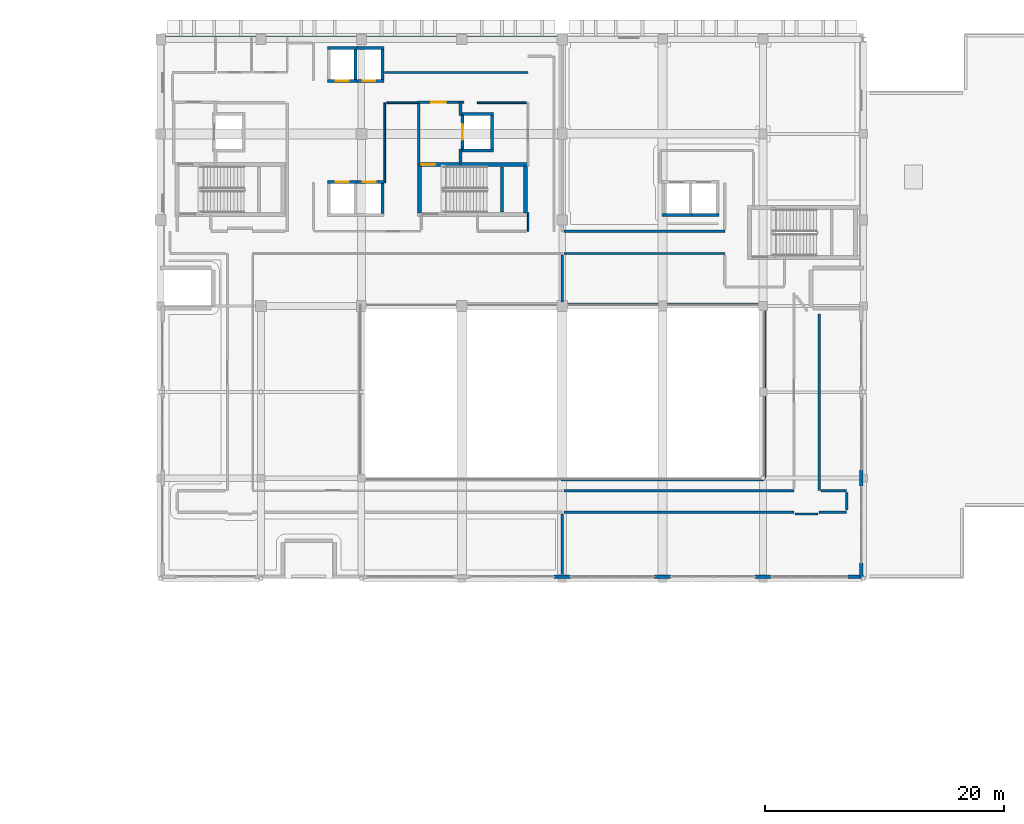
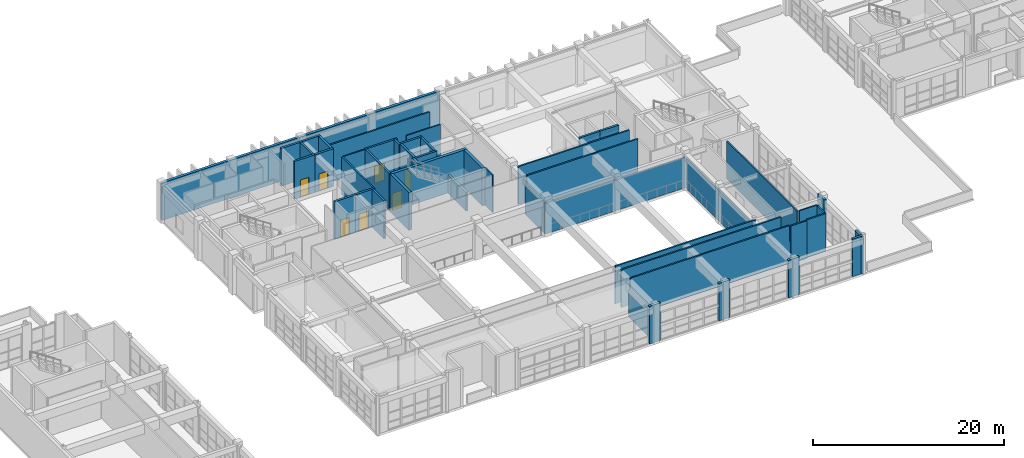
# One storey, part 64 of 78: 49 walls, 7 doors, 7 openings.
"""IFC4 building model written with IfcOpenShell, lengths in metres."""

import ifcopenshell
import ifcopenshell.guid

model = None  # the IFC model being written
_history = None  # IfcOwnerHistory: only IFC2X3 demands one
_inside = {}  # id of a spatial element -> (the spatial element, [elements in it])
_under = {}  # id of a project, library or spatial element -> (it, [spatial elements below it])
_declared = {}  # id of a project -> (the project, [libraries it declares])
_typed = {}  # id of a type object -> (the type object, [elements of that type])
_made_of = {}  # id of a material, layer set ... -> (it, [elements and type objects made of it])


def new_model(schema):
    """Start an empty IFC model of exactly this schema.

    Asked for "IFC4X3", IfcOpenShell would pick the latest addendum, in which some entities
    have other attributes; the version numbers below select the first issue.
    IFC2X3 requires an IfcOwnerHistory on every rooted entity: one is made here for all.
    """
    global model, _history
    if schema == "IFC4X3":
        model = ifcopenshell.file(schema_version=(4, 3, 0, 0))
    else:
        model = ifcopenshell.file(schema=schema)
    _inside.clear()
    _under.clear()
    _declared.clear()
    _typed.clear()
    _made_of.clear()
    _history = None
    if model.schema == "IFC2X3":
        org = make("IfcOrganization", Name="unknown")
        user = make(
            "IfcPersonAndOrganization",
            ThePerson=make("IfcPerson", FamilyName="unknown"),
            TheOrganization=org,
        )
        app = make(
            "IfcApplication",
            ApplicationDeveloper=org,
            Version="unknown",
            ApplicationFullName="unknown",
            ApplicationIdentifier="unknown",
        )
        _history = make(
            "IfcOwnerHistory",
            OwningUser=user,
            OwningApplication=app,
            ChangeAction="ADDED",
            CreationDate=0,
        )
    return model


def make(cls, **values):
    """One entity of the class cls with the attributes given. An attribute that is None is left unset."""
    return model.create_entity(
        cls, **{name: value for name, value in values.items() if value is not None}
    )


def rooted(cls, **values):
    """An entity with a GlobalId (a new one), such as an element, a storey or a relation."""
    return make(cls, GlobalId=ifcopenshell.guid.new(), OwnerHistory=_history, **values)


def si_unit(unit_type, name, prefix=None):
    """IfcSIUnit, for example si_unit("LENGTHUNIT", "METRE", prefix="MILLI")."""
    return make("IfcSIUnit", UnitType=unit_type, Prefix=prefix, Name=name)


def assignment(units):
    """IfcUnitAssignment: the units of a project."""
    return None if units is None else make("IfcUnitAssignment", Units=units)


def point(xyz):
    """IfcCartesianPoint."""
    return None if xyz is None else make("IfcCartesianPoint", Coordinates=xyz)


def direction(xyz):
    """IfcDirection."""
    return None if xyz is None else make("IfcDirection", DirectionRatios=xyz)


def frame(location, z_axis=None, x_axis=None):
    """IfcAxis2Placement3D, a coordinate frame: its origin and axes. An axis left out is left unset."""
    return make(
        "IfcAxis2Placement3D",
        Location=point(location),
        Axis=direction(z_axis),
        RefDirection=direction(x_axis),
    )


def frame_2d(location, x_axis=None):
    """IfcAxis2Placement2D, a coordinate frame in the plane: its origin and x axis."""
    return make(
        "IfcAxis2Placement2D", Location=point(location), RefDirection=direction(x_axis)
    )


def origin():
    """The frame at (0, 0, 0) with its axes left unset."""
    return frame((0.0, 0.0, 0.0))


def place(relative_to, where):
    """IfcLocalPlacement: puts the frame where relative to a parent placement (None: the world)."""
    return make(
        "IfcLocalPlacement", PlacementRelTo=relative_to, RelativePlacement=where
    )


def context(
    kind, dimensions, precision=None, world=None, true_north=None, identifier=None
):
    """IfcGeometricRepresentationContext, for example the 3D "Model" context."""
    return make(
        "IfcGeometricRepresentationContext",
        ContextIdentifier=identifier,
        ContextType=kind,
        CoordinateSpaceDimension=dimensions,
        Precision=precision,
        WorldCoordinateSystem=world,
        TrueNorth=true_north,
    )


def subcontext(parent, identifier, kind, view, scale=None):
    """IfcGeometricRepresentationSubContext, for example "Body" below "Model"."""
    return make(
        "IfcGeometricRepresentationSubContext",
        ContextIdentifier=identifier,
        ContextType=kind,
        ParentContext=parent,
        TargetScale=scale,
        TargetView=view,
    )


def project(units=None, contexts=None):
    """IfcProject with its units and contexts."""
    return rooted(
        "IfcProject",
        Name="project",
        RepresentationContexts=contexts,
        UnitsInContext=assignment(units),
    )


def spatial(cls, under=None, at=None, **own):
    """A site, building, storey or space (cls), placed at a placement, below another one or the project."""
    s = rooted(cls, ObjectPlacement=at, **own)
    if under is not None:
        _under.setdefault(under.id(), (under, []))[1].append(s)
    return s


def profile(cls, at=None, kind="AREA", **sizes):
    """A parametric profile (cls). Its sizes go by their IFC names, for example OverallWidth=200.0."""
    return make(cls, ProfileType=kind, Position=at, **sizes)


def rectangle(**sizes):
    """IfcRectangleProfileDef."""
    return profile("IfcRectangleProfileDef", **sizes)


def extrude(swept, where, along, depth):
    """IfcExtrudedAreaSolid: the profile swept, set in the frame where, extruded along a direction by depth."""
    return make(
        "IfcExtrudedAreaSolid",
        SweptArea=swept,
        Position=where,
        ExtrudedDirection=direction(along),
        Depth=depth,
    )


def shape(context_of_items, identifier, shape_type, items):
    """IfcShapeRepresentation: the items that make up one representation, for example the "Body"."""
    return make(
        "IfcShapeRepresentation",
        ContextOfItems=context_of_items,
        RepresentationIdentifier=identifier,
        RepresentationType=shape_type,
        Items=items,
    )


def material(Name=None, Category=None):
    """IfcMaterial."""
    return make("IfcMaterial", Name=Name, Category=Category)


def layer(
    of_material, thickness, ventilated=None, Name=None, Category=None, Priority=None
):
    """IfcMaterialLayer: one layer of a wall or slab, of a material (None: an air gap)."""
    return make(
        "IfcMaterialLayer",
        Material=of_material,
        LayerThickness=thickness,
        IsVentilated=ventilated,
        Name=Name,
        Category=Category,
        Priority=Priority,
    )


def layer_set(layers, Name=None):
    """IfcMaterialLayerSet."""
    return make("IfcMaterialLayerSet", MaterialLayers=layers, LayerSetName=Name)


def made_of(thing, what):
    """Note that an element or type object is made of a material, layer set ...; save() writes the relation."""
    if what is not None:
        _made_of.setdefault(what.id(), (what, []))[1].append(thing)
    return thing


def type_object(cls, material=None, **own):
    """A type object (cls), such as IfcWallType, which elements share."""
    return made_of(rooted(cls, **own), material)


def element(
    cls,
    number,
    at=None,
    inside=None,
    cuts=None,
    type_object=None,
    material=None,
    context=None,
    identifier="Body",
    shape_type=None,
    held_by="IfcProductDefinitionShape",
    body=None,
    shapes=None,
    **own,
):
    """One element of the class cls, such as IfcWall. Its Tag is "e" and its number.

    at: its placement. inside: the storey or other place that contains it. cuts: it is an
    opening in that element (IfcRelVoidsElement). A single representation is given by context,
    identifier, shape_type and body (its items); several are given by shapes. held_by: the class
    of the entity that holds the representations. save() writes the other relations.
    """
    e = rooted(cls, Tag="e%d" % number, ObjectPlacement=at, **own)
    if body is not None:
        shapes = [shape(context, identifier, shape_type, body)]
    if shapes is not None:
        e.Representation = make(held_by, Representations=shapes)
    if inside is not None:
        _inside.setdefault(inside.id(), (inside, []))[1].append(e)
    if cuts is not None:
        rooted(
            "IfcRelVoidsElement", RelatingBuildingElement=cuts, RelatedOpeningElement=e
        )
    if type_object is not None:
        _typed.setdefault(type_object.id(), (type_object, []))[1].append(e)
    return made_of(e, material)


def fill(opening, filler):
    """IfcRelFillsElement: the door or window that sits in an opening."""
    return rooted(
        "IfcRelFillsElement",
        RelatingOpeningElement=opening,
        RelatedBuildingElement=filler,
    )


def aggregate(whole, parts):
    """IfcRelAggregates: a whole, such as a stair, and the parts it consists of."""
    return rooted("IfcRelAggregates", RelatingObject=whole, RelatedObjects=parts)


def save(model, path):
    """Write the relations noted so far, then the file.

    IfcRelAggregates (storeys below a building ...), IfcRelContainedInSpatialStructure (elements
    in a storey), IfcRelDefinesByType, IfcRelAssociatesMaterial and IfcRelDeclares: one each for
    every whole, place, type object, material and project.
    """
    for whole, parts in _under.values():
        aggregate(whole, parts)
    for where, things in _inside.values():
        rooted(
            "IfcRelContainedInSpatialStructure",
            RelatedElements=things,
            RelatingStructure=where,
        )
    for kind, things in _typed.values():
        rooted("IfcRelDefinesByType", RelatedObjects=things, RelatingType=kind)
    for what, things in _made_of.values():
        rooted("IfcRelAssociatesMaterial", RelatedObjects=things, RelatingMaterial=what)
    for by, libraries in _declared.values():
        rooted("IfcRelDeclares", RelatingContext=by, RelatedDefinitions=libraries)
    model.write(path)


model = new_model("IFC4")

# Units and contexts
model_context = context("Model", 3, precision=1e-05, world=origin(), true_north=direction((0.0, 1.0)))
body_context = subcontext(model_context, "Body", "Model", "MODEL_VIEW")
ifc_project = project(units=[si_unit("LENGTHUNIT", "METRE"), si_unit("AREAUNIT", "SQUARE_METRE"), si_unit("VOLUMEUNIT", "CUBIC_METRE"), si_unit("PLANEANGLEUNIT", "RADIAN"), si_unit("MASSUNIT", "GRAM", prefix="KILO")], contexts=[model_context])

# Site, building, storey
site_placement = place(None, origin())
site = spatial("IfcSite", under=ifc_project, at=site_placement, CompositionType="ELEMENT")
building_placement = place(site_placement, origin())
building = spatial("IfcBuilding", under=site, at=building_placement, Name="Quendrovan Civic Courthouse", CompositionType="ELEMENT")
storey_placement = place(building_placement, frame((0.0, 0.0, 10.199951171875)))
storey = spatial("IfcBuildingStorey", under=building, at=storey_placement, Name="L03", CompositionType="ELEMENT", Elevation=10.199951171875)

# Walls
ifc_material_1 = material(Name="Acoustic gypsum stud partition")
ifc_layer_1 = layer(ifc_material_1, 0.139892578125, Name="Acoustic gypsum stud partition")
ifc_layer_set_1 = layer_set([ifc_layer_1], Name="Acoustic gypsum stud partition")
wall_type_1 = type_object("IfcWallType", Name="WL-CHM-140", PredefinedType="PARTITIONING", material=ifc_layer_set_1)
wall_1_placement = place(storey_placement, frame((64.35009765625, 95.39990234375, 0.0), z_axis=(0.0, 0.0, 1.0), x_axis=(0.0, -1.0, 0.0)))
element("IfcWall", 1, at=wall_1_placement, inside=storey, type_object=wall_type_1, Name="L03 Judges' Chambers Suite Partition 0456", PredefinedType="PARTITIONING", context=body_context, shape_type="SweptSolid", body=[
    extrude(rectangle(XDim=1.5498046875, YDim=0.139892578125, at=frame_2d((0.77490234375, 0.0))), origin(), (0.0, 0.0, 1.0), 4.820068359375),
])
wall_2_placement = place(storey_placement, frame((60.10009765625, 104.60009765625, 0.0), z_axis=(0.0, 0.0, 1.0), x_axis=(1.0, 0.0, 0.0)))
element("IfcWall", 2, at=wall_2_placement, inside=storey, type_object=wall_type_1, Name="L03 Judges' Chambers Suite Partition 0487", PredefinedType="PARTITIONING", context=body_context, shape_type="SweptSolid", body=[
    extrude(rectangle(XDim=4.099853515625, YDim=0.139892578125, at=frame_2d((2.0498046875, 0.0))), origin(), (0.0, 0.0, 1.0), 4.820068359375),
])

# Wall, opening, door
ifc_material_2 = material(Name="Concrete C45/55", Category="concrete")
ifc_layer_2 = layer(ifc_material_2, 0.35009765625, Name="Concrete C45/55")
ifc_layer_set_2 = layer_set([ifc_layer_2], Name="Concrete C45/55")
wall_type_2 = type_object("IfcWallType", Name="WL-CORE-350", PredefinedType="SHEAR", material=ifc_layer_set_2)
wall_3_placement = place(storey_placement, frame((64.31005859375, 99.43505859375, 0.0), z_axis=(0.0, 0.0, 1.0), x_axis=(-1.0, 0.0, 0.0)))
wall_3 = element("IfcWall", 3, at=wall_3_placement, inside=storey, type_object=wall_type_2, Name="L03 Core Shear Wall ST2-N", PredefinedType="SHEAR", context=body_context, shape_type="SweptSolid", body=[
    extrude(rectangle(XDim=9.219970703125, YDim=0.35009765625, at=frame_2d((4.60986328125, 0.0))), origin(), (0.0, 0.0, 1.0), 4.820068359375),
])
opening_1_placement = place(wall_3_placement, frame((7.719970703125, 0.0, 0.0)))
opening_1 = element("IfcOpeningElement", 4, at=opening_1_placement, cuts=wall_3, Name="Opening DFF-ST2-L03", PredefinedType="OPENING", context=body_context, shape_type="SweptSolid", body=[
    extrude(rectangle(XDim=1.199951171875, YDim=2.199951171875, at=frame_2d((0.60009765625, 1.10009765625))), frame((0.0, 0.18505859375, 0.0), z_axis=(0.0, -1.0, 0.0), x_axis=(1.0, 0.0, 0.0)), (0.0, 0.0, 1.0), 0.3701171875),
])
ifc_material_3 = material(Name="Painted galvanized hollow-metal steel", Category="steel")
door_type_1 = type_object("IfcDoorType", Name="DR-FFLOB-1200", OperationType="NOTDEFINED", PredefinedType="DOOR", material=ifc_material_3)
door_1_placement = place(opening_1_placement, origin())
door_1 = element("IfcDoor", 5, at=door_1_placement, inside=storey, type_object=door_type_1, Name="L03 Firefighting Lobby FL2 Direct Stair ST2 Door", OperationType="SINGLE_SWING_RIGHT", OverallHeight=2.199951171875, OverallWidth=1.199951171875, PredefinedType="DOOR", context=body_context, shape_type="SweptSolid", body=[
    extrude(rectangle(XDim=1.199951171875, YDim=2.199951171875, at=frame_2d((0.60009765625, 1.10009765625))), frame((0.0, 0.02490234375, 0.0), z_axis=(0.0, -1.0, 0.0), x_axis=(1.0, 0.0, 0.0)), (0.0, 0.0, 1.0), 0.050048828125),
])
fill(opening_1, door_1)

# Walls
for number, where, z_axis, x_axis, name in (
    (6, (55.264892578125, 95.39990234375, 0.0), (0.0, 0.0, 1.0), (0.0, 1.0, 0.0), "L03 Core Shear Wall ST2-W"),
    (7, (64.135009765625, 99.300048828125, 0.0), (0.0, 0.0, 1.0), (0.0, -1.0, 0.0), "L03 Core Shear Wall ST2-E"),
):
    element("IfcWall", number, at=place(storey_placement, frame(where, z_axis=z_axis, x_axis=x_axis)), inside=storey, type_object=wall_type_2, Name=name, PredefinedType="SHEAR", context=body_context, shape_type="SweptSolid", body=[
        extrude(rectangle(XDim=3.900146484375, YDim=0.35009765625, at=frame_2d((1.9501953125, 0.0))), origin(), (0.0, 0.0, 1.0), 4.820068359375),
    ])
ifc_material_4 = material(Name="Acoustic gypsum and mineral wool partition")
ifc_layer_3 = layer(ifc_material_4, 0.179931640625, Name="Acoustic gypsum and mineral wool partition")
ifc_layer_set_3 = layer_set([ifc_layer_3], Name="Acoustic gypsum and mineral wool partition")
wall_type_3 = type_object("IfcWallType", Name="WL-CRT-AC180", PredefinedType="PARTITIONING", material=ifc_layer_set_3)
wall_4_placement = place(storey_placement, frame((67.3701171875, 70.35009765625, 0.0), z_axis=(0.0, 0.0, 1.0), x_axis=(1.0, 0.0, 0.0)))
element("IfcWall", 8, at=wall_4_placement, inside=storey, type_object=wall_type_3, Name="L03 Civil Courtroom Partition 0427", PredefinedType="PARTITIONING", context=body_context, shape_type="SweptSolid", body=[
    extrude(rectangle(XDim=19.22998046875, YDim=0.179931640625, at=frame_2d((9.614990234375, 0.0))), origin(), (0.0, 0.0, 1.0), 4.820068359375),
])
wall_5_placement = place(storey_placement, frame((86.60009765625, 72.14990234375, 0.0), z_axis=(0.0, 0.0, 1.0), x_axis=(-1.0, 0.0, 0.0)))
element("IfcWall", 9, at=wall_5_placement, inside=storey, type_object=wall_type_3, Name="L03 Civil Courtroom Partition 0428", PredefinedType="PARTITIONING", context=body_context, shape_type="SweptSolid", body=[
    extrude(rectangle(XDim=19.27001953125, YDim=0.179931640625, at=frame_2d((9.635009765625, 0.0))), origin(), (0.0, 0.0, 1.0), 4.820068359375),
])
wall_6_placement = place(storey_placement, frame((67.10009765625, 73.0400390625, 0.0), z_axis=(0.0, 0.0, 1.0), x_axis=(1.0, 0.0, 0.0)))
element("IfcWall", 10, at=wall_6_placement, inside=storey, type_object=wall_type_3, Name="L03 Civil Courtroom Partition 0431", PredefinedType="PARTITIONING", context=body_context, shape_type="SweptSolid", body=[
    extrude(rectangle(XDim=17.0, YDim=0.179931640625, at=frame_2d((8.5, 0.0))), origin(), (0.0, 0.0, 1.0), 4.820068359375),
])
wall_7_placement = place(storey_placement, frame((84.10009765625, 87.760009765625, 0.0), z_axis=(0.0, 0.0, 1.0), x_axis=(-1.0, 0.0, 0.0)))
element("IfcWall", 11, at=wall_7_placement, inside=storey, type_object=wall_type_3, Name="L03 Civil Courtroom Partition 0432", PredefinedType="PARTITIONING", context=body_context, shape_type="SweptSolid", body=[
    extrude(rectangle(XDim=17.0, YDim=0.179931640625, at=frame_2d((8.5, 0.0))), origin(), (0.0, 0.0, 1.0), 3.900146484375),
])
wall_8_placement = place(storey_placement, frame((88.699951171875, 72.14990234375, 0.0), z_axis=(0.0, 0.0, 1.0), x_axis=(0.0, 1.0, 0.0)))
element("IfcWall", 12, at=wall_8_placement, inside=storey, type_object=wall_type_3, Name="L03 Civil Courtroom Partition 0444", PredefinedType="PARTITIONING", context=body_context, shape_type="SweptSolid", body=[
    extrude(rectangle(XDim=14.780029296875, YDim=0.179931640625, at=frame_2d((7.39013671875, 0.0))), origin(), (0.0, 0.0, 1.0), 4.820068359375),
])
wall_9_placement = place(storey_placement, frame((84.159912109375, 73.198974609375, 0.0), z_axis=(0.0, 0.0, 1.0), x_axis=(0.0, 1.0, 0.0)))
element("IfcWall", 13, at=wall_9_placement, inside=storey, type_object=wall_type_3, Name="L03 Civil Courtroom Partition 0446", PredefinedType="PARTITIONING", context=body_context, shape_type="SweptSolid", body=[
    extrude(rectangle(XDim=14.402099609375, YDim=0.179931640625, at=frame_2d((7.201171875, 0.0))), origin(), (0.0, 0.0, 1.0), 3.85009765625),
])
wall_10_placement = place(storey_placement, frame((67.330078125, 92.0, 0.0), z_axis=(0.0, 0.0, 1.0), x_axis=(1.0, 0.0, 0.0)))
element("IfcWall", 14, at=wall_10_placement, inside=storey, type_object=wall_type_3, Name="L03 Civil Courtroom Partition 0450", PredefinedType="PARTITIONING", context=body_context, shape_type="SweptSolid", body=[
    extrude(rectangle(XDim=13.469970703125, YDim=0.179931640625, at=frame_2d((6.73486328125, 0.0))), origin(), (0.0, 0.0, 1.0), 4.820068359375),
])
wall_11_placement = place(storey_placement, frame((80.800048828125, 93.85009765625, 0.0), z_axis=(0.0, 0.0, 1.0), x_axis=(-1.0, 0.0, 0.0)))
element("IfcWall", 15, at=wall_11_placement, inside=storey, type_object=wall_type_3, Name="L03 Civil Courtroom Partition 0451", PredefinedType="PARTITIONING", context=body_context, shape_type="SweptSolid", body=[
    extrude(rectangle(XDim=13.429931640625, YDim=0.179931640625, at=frame_2d((6.71484375, 0.0))), origin(), (0.0, 0.0, 1.0), 4.820068359375),
])
wall_12_placement = place(storey_placement, frame((64.35009765625, 107.14990234375, 0.0), z_axis=(0.0, 0.0, 1.0), x_axis=(-1.0, 0.0, 0.0)))
element("IfcWall", 16, at=wall_12_placement, inside=storey, type_object=wall_type_3, Name="L03 Criminal Courtroom Partition 0453", PredefinedType="PARTITIONING", context=body_context, shape_type="SweptSolid", body=[
    extrude(rectangle(XDim=12.0, YDim=0.179931640625, at=frame_2d((6.0, 0.0))), origin(), (0.0, 0.0, 1.0), 4.820068359375),
])
wall_13_placement = place(storey_placement, frame((67.199951171875, 70.179931640625, 0.0), z_axis=(0.0, 0.0, 1.0), x_axis=(0.0, -1.0, 0.0)))
element("IfcWall", 17, at=wall_13_placement, inside=storey, type_object=wall_type_3, Name="L03 Criminal Courtroom Partition 0474", PredefinedType="PARTITIONING", context=body_context, shape_type="SweptSolid", body=[
    extrude(rectangle(XDim=5.31982421875, YDim=0.179931640625, at=frame_2d((2.659912109375, 0.0))), origin(), (0.0, 0.0, 1.0), 3.449951171875),
])
wall_14_placement = place(storey_placement, frame((67.199951171875, 87.929931640625, 0.0), z_axis=(0.0, 0.0, 1.0), x_axis=(0.0, 1.0, 0.0)))
element("IfcWall", 18, at=wall_14_placement, inside=storey, type_object=wall_type_3, Name="L03 Civil Courtroom Partition 0485", PredefinedType="PARTITIONING", context=body_context, shape_type="SweptSolid", body=[
    extrude(rectangle(XDim=3.940185546875, YDim=0.179931640625, at=frame_2d((1.97021484375, 0.0))), origin(), (0.0, 0.0, 1.0), 3.85009765625),
])
wall_15_placement = place(storey_placement, frame((88.699951171875, 70.35009765625, 0.0), z_axis=(0.0, 0.0, 1.0), x_axis=(1.0, 0.0, 0.0)))
element("IfcWall", 19, at=wall_15_placement, inside=storey, type_object=wall_type_3, Name="L03 Civil Courtroom Partition 0515", PredefinedType="PARTITIONING", context=body_context, shape_type="SweptSolid", body=[
    extrude(rectangle(XDim=2.300048828125, YDim=0.179931640625, at=frame_2d((1.14990234375, 0.0))), origin(), (0.0, 0.0, 1.0), 4.820068359375),
])
wall_16_placement = place(storey_placement, frame((91.0, 72.14990234375, 0.0), z_axis=(0.0, 0.0, 1.0), x_axis=(-1.0, 0.0, 0.0)))
element("IfcWall", 20, at=wall_16_placement, inside=storey, type_object=wall_type_3, Name="L03 Civil Courtroom Partition 0516", PredefinedType="PARTITIONING", context=body_context, shape_type="SweptSolid", body=[
    extrude(rectangle(XDim=2.1298828125, YDim=0.179931640625, at=frame_2d((1.06494140625, 0.0))), origin(), (0.0, 0.0, 1.0), 4.820068359375),
])
wall_17_placement = place(storey_placement, frame((86.679931640625, 70.199951171875, 0.0), z_axis=(0.0, 0.0, 1.0), x_axis=(1.0, 0.0, 0.0)))
element("IfcWall", 21, at=wall_17_placement, inside=storey, type_object=wall_type_3, Name="L03 Civil Courtroom Partition 0521", PredefinedType="PARTITIONING", context=body_context, shape_type="SweptSolid", body=[
    extrude(rectangle(XDim=1.940185546875, YDim=0.179931640625, at=frame_2d((0.97021484375, 0.0))), origin(), (0.0, 0.0, 1.0), 4.820068359375),
])
wall_18_placement = place(storey_placement, frame((91.0, 70.52001953125, 0.0), z_axis=(0.0, 0.0, 1.0), x_axis=(0.0, 1.0, 0.0)))
element("IfcWall", 22, at=wall_18_placement, inside=storey, type_object=wall_type_3, Name="L03 Civil Courtroom Partition 0531", PredefinedType="PARTITIONING", context=body_context, shape_type="SweptSolid", body=[
    extrude(rectangle(XDim=1.4599609375, YDim=0.179931640625, at=frame_2d((0.72998046875, 0.0))), origin(), (0.0, 0.0, 1.0), 4.820068359375),
])
ifc_material_5 = material(Name="Precast concrete C45/55", Category="concrete")
ifc_layer_4 = layer(ifc_material_5, 0.2900390625, Name="Precast concrete C45/55")
ifc_layer_set_4 = layer_set([ifc_layer_4], Name="Precast concrete C45/55")
wall_type_4 = type_object("IfcWallType", Name="WL-EXT-PC290", PredefinedType="SOLIDWALL", material=ifc_layer_set_4)
wall_19_placement = place(storey_placement, frame((92.235107421875, 73.875, 0.0), z_axis=(0.0, 0.0, 1.0), x_axis=(0.0, -1.0, 0.0)))
element("IfcWall", 23, at=wall_19_placement, inside=storey, type_object=wall_type_4, Name="L03 Exterior Pier Wall 295", PredefinedType="SOLIDWALL", context=body_context, shape_type="SweptSolid", body=[
    extrude(rectangle(XDim=1.35009765625, YDim=0.2900390625, at=frame_2d((0.675048828125, 0.0))), origin(), (0.0, 0.0, 1.0), 4.820068359375),
])
wall_20_placement = place(storey_placement, frame((92.235107421875, 66.10009765625, 0.0), z_axis=(0.0, 0.0, 1.0), x_axis=(0.0, -1.0, 0.0)))
element("IfcWall", 24, at=wall_20_placement, inside=storey, type_object=wall_type_4, Name="L03 Exterior Pier Wall 296", PredefinedType="SOLIDWALL", context=body_context, shape_type="SweptSolid", body=[
    extrude(rectangle(XDim=1.300048828125, YDim=0.2900390625, at=frame_2d((0.64990234375, 0.0))), origin(), (0.0, 0.0, 1.0), 4.820068359375),
])
wall_21_placement = place(storey_placement, frame((92.39990234375, 64.965087890625, 0.0), z_axis=(0.0, 0.0, 1.0), x_axis=(-1.0, 0.0, 0.0)))
element("IfcWall", 25, at=wall_21_placement, inside=storey, type_object=wall_type_4, Name="L03 Exterior Pier Wall 297", PredefinedType="SOLIDWALL", context=body_context, shape_type="SweptSolid", body=[
    extrude(rectangle(XDim=1.2998046875, YDim=0.2900390625, at=frame_2d((0.64990234375, 0.0))), origin(), (0.0, 0.0, 1.0), 4.820068359375),
])
wall_22_placement = place(storey_placement, frame((84.675048828125, 64.965087890625, 0.0), z_axis=(0.0, 0.0, 1.0), x_axis=(-1.0, 0.0, 0.0)))
element("IfcWall", 26, at=wall_22_placement, inside=storey, type_object=wall_type_4, Name="L03 Exterior Pier Wall 298", PredefinedType="SOLIDWALL", context=body_context, shape_type="SweptSolid", body=[
    extrude(rectangle(XDim=1.35009765625, YDim=0.2900390625, at=frame_2d((0.675048828125, 0.0))), origin(), (0.0, 0.0, 1.0), 4.820068359375),
])
wall_23_placement = place(storey_placement, frame((76.27490234375, 64.965087890625, 0.0), z_axis=(0.0, 0.0, 1.0), x_axis=(-1.0, 0.0, 0.0)))
element("IfcWall", 27, at=wall_23_placement, inside=storey, type_object=wall_type_4, Name="L03 Exterior Pier Wall 299", PredefinedType="SOLIDWALL", context=body_context, shape_type="SweptSolid", body=[
    extrude(rectangle(XDim=1.349853515625, YDim=0.2900390625, at=frame_2d((0.6748046875, 0.0))), origin(), (0.0, 0.0, 1.0), 4.820068359375),
])
wall_24_placement = place(storey_placement, frame((67.875, 64.965087890625, 0.0), z_axis=(0.0, 0.0, 1.0), x_axis=(-1.0, 0.0, 0.0)))
element("IfcWall", 28, at=wall_24_placement, inside=storey, type_object=wall_type_4, Name="L03 Exterior Pier Wall 300", PredefinedType="SOLIDWALL", context=body_context, shape_type="SweptSolid", body=[
    extrude(rectangle(XDim=1.35009765625, YDim=0.2900390625, at=frame_2d((0.675048828125, 0.0))), origin(), (0.0, 0.0, 1.0), 4.820068359375),
])
ifc_layer_5 = layer(ifc_material_5, 0.320068359375, Name="Precast concrete C45/55")
ifc_layer_set_5 = layer_set([ifc_layer_5], Name="Precast concrete C45/55")
wall_type_5 = type_object("IfcWallType", Name="WL-EXT-PC320", PredefinedType="SOLIDWALL", material=ifc_layer_set_5)
wall_25_placement = place(storey_placement, frame((33.60009765625, 110.02001953125, 0.0), z_axis=(0.0, 0.0, 1.0), x_axis=(1.0, 0.0, 0.0)))
element("IfcWall", 29, at=wall_25_placement, inside=storey, type_object=wall_type_5, Name="L03 Exterior Precast Concrete Wall 287", PredefinedType="SOLIDWALL", context=body_context, shape_type="SweptSolid", body=[
    extrude(rectangle(XDim=33.599853515625, YDim=0.320068359375, at=frame_2d((16.7998046875, 0.0))), origin(), (0.0, 0.0, 1.0), 4.820068359375),
])

# Wall, opening, door
ifc_material_6 = material(Name="Concrete C40/50", Category="concrete")
ifc_layer_6 = layer(ifc_material_6, 0.22998046875, Name="Concrete C40/50")
ifc_layer_set_6 = layer_set([ifc_layer_6], Name="Concrete C40/50")
wall_type_6 = type_object("IfcWallType", Name="WL-FFLOB-230", PredefinedType="PARTITIONING", material=ifc_layer_set_6)
wall_26_placement = place(storey_placement, frame((55.090087890625, 104.64990234375, 0.0), z_axis=(0.0, 0.0, 1.0), x_axis=(1.0, 0.0, 0.0)))
wall_26 = element("IfcWall", 30, at=wall_26_placement, inside=storey, type_object=wall_type_6, Name="L03 Firefighting Lift Lobby FL2 Wall N", PredefinedType="PARTITIONING", context=body_context, shape_type="SweptSolid", body=[
    extrude(rectangle(XDim=3.889892578125, YDim=0.22998046875, at=frame_2d((1.94482421875, 0.0))), origin(), (0.0, 0.0, 1.0), 4.820068359375),
])
opening_2_placement = place(wall_26_placement, frame((1.14990234375, 0.0, 0.0)))
opening_2 = element("IfcOpeningElement", 31, at=opening_2_placement, cuts=wall_26, Name="Opening DF-FL2-L03N", PredefinedType="OPENING", context=body_context, shape_type="SweptSolid", body=[
    extrude(rectangle(XDim=1.199951171875, YDim=2.199951171875, at=frame_2d((0.60009765625, 1.10009765625))), frame((0.0, 0.125, 0.0), z_axis=(0.0, -1.0, 0.0), x_axis=(1.0, 0.0, 0.0)), (0.0, 0.0, 1.0), 0.25),
])
door_2_placement = place(opening_2_placement, origin())
door_2 = element("IfcDoor", 32, at=door_2_placement, inside=storey, type_object=door_type_1, Name="L03 Firefighting Lobby FL2 Fire Door N", OperationType="SINGLE_SWING_LEFT", OverallHeight=2.199951171875, OverallWidth=1.199951171875, PredefinedType="DOOR", context=body_context, shape_type="SweptSolid", body=[
    extrude(rectangle(XDim=1.199951171875, YDim=2.199951171875, at=frame_2d((0.60009765625, 1.10009765625))), frame((0.0, 0.02490234375, 0.0), z_axis=(0.0, -1.0, 0.0), x_axis=(1.0, 0.0, 0.0)), (0.0, 0.0, 1.0), 0.050048828125),
])
fill(opening_2, door_2)

# Walls
wall_27_placement = place(storey_placement, frame((55.199951171875, 99.5, 0.0), z_axis=(0.0, 0.0, 1.0), x_axis=(0.0, 1.0, 0.0)))
element("IfcWall", 33, at=wall_27_placement, inside=storey, type_object=wall_type_6, Name="L03 Firefighting Lift Lobby FL2 Wall W", PredefinedType="PARTITIONING", context=body_context, shape_type="SweptSolid", body=[
    extrude(rectangle(XDim=5.260009765625, YDim=0.22998046875, at=frame_2d((2.6298828125, 0.0))), origin(), (0.0, 0.0, 1.0), 4.820068359375),
])
wall_28_placement = place(storey_placement, frame((58.699951171875, 104.64990234375, 0.0), z_axis=(0.0, 0.0, 1.0), x_axis=(0.0, -1.0, 0.0)))
element("IfcWall", 34, at=wall_28_placement, inside=storey, type_object=wall_type_6, Name="L03 Firefighting Lift Lobby FL2 Wall EN", PredefinedType="PARTITIONING", context=body_context, shape_type="SweptSolid", body=[
    extrude(rectangle(XDim=1.099853515625, YDim=0.22998046875, at=frame_2d((0.5498046875, 0.0))), origin(), (0.0, 0.0, 1.0), 4.820068359375),
])
wall_29_placement = place(storey_placement, frame((58.699951171875, 100.75, 0.0), z_axis=(0.0, 0.0, 1.0), x_axis=(0.0, -1.0, 0.0)))
element("IfcWall", 35, at=wall_29_placement, inside=storey, type_object=wall_type_6, Name="L03 Firefighting Lift Lobby FL2 Wall ES", PredefinedType="PARTITIONING", context=body_context, shape_type="SweptSolid", body=[
    extrude(rectangle(XDim=1.25, YDim=0.22998046875, at=frame_2d((0.625, 0.0))), origin(), (0.0, 0.0, 1.0), 4.820068359375),
])
ifc_layer_7 = layer(ifc_material_1, 0.14990234375, Name="Acoustic gypsum stud partition")
ifc_layer_set_7 = layer_set([ifc_layer_7], Name="Acoustic gypsum stud partition")
wall_type_7 = type_object("IfcWallType", Name="WL-JURY-150", PredefinedType="PARTITIONING", material=ifc_layer_set_7)
wall_30_placement = place(storey_placement, frame((52.35009765625, 97.89990234375, 0.0), z_axis=(0.0, 0.0, 1.0), x_axis=(0.0, 1.0, 0.0)))
element("IfcWall", 36, at=wall_30_placement, inside=storey, type_object=wall_type_7, Name="L03 Jury Room Partition 0468", PredefinedType="PARTITIONING", context=body_context, shape_type="SweptSolid", body=[
    extrude(rectangle(XDim=6.7001953125, YDim=0.14990234375, at=frame_2d((3.35009765625, 0.0))), origin(), (0.0, 0.0, 1.0), 4.820068359375),
])
wall_31_placement = place(storey_placement, frame((52.5048828125, 104.60009765625, 0.0), z_axis=(0.0, 0.0, 1.0), x_axis=(1.0, 0.0, 0.0)))
element("IfcWall", 37, at=wall_31_placement, inside=storey, type_object=wall_type_7, Name="L03 Jury Room Partition 0510", PredefinedType="PARTITIONING", context=body_context, shape_type="SweptSolid", body=[
    extrude(rectangle(XDim=2.5751953125, YDim=0.14990234375, at=frame_2d((1.28759765625, 0.0))), origin(), (0.0, 0.0, 1.0), 4.820068359375),
])
ifc_layer_8 = layer(ifc_material_2, 0.25, Name="Concrete C45/55")
ifc_layer_set_8 = layer_set([ifc_layer_8], Name="Concrete C45/55")
wall_type_8 = type_object("IfcWallType", Name="WL-SHAFT-250", PredefinedType="SHEAR", material=ifc_layer_set_8)
wall_32_placement = place(storey_placement, frame((62.14990234375, 95.449951171875, 0.0), z_axis=(0.0, 0.0, 1.0), x_axis=(0.0, 1.0, 0.0)))
element("IfcWall", 38, at=wall_32_placement, inside=storey, type_object=wall_type_8, Name="L03 Stair ST2 Mid-Landing Bearing Wall", PredefinedType="SHEAR", context=body_context, shape_type="SweptSolid", body=[
    extrude(rectangle(XDim=3.800048828125, YDim=0.25, at=frame_2d((1.89990234375, 0.0))), origin(), (0.0, 0.0, 1.0), 2.3701171875),
])
for number, where, z_axis, x_axis, name in (
    (39, (75.550048828125, 95.22509765625, 0.0), (0.0, 0.0, 1.0), (1.0, 0.0, 0.0), "L03 Lift Hoistway Wall PL1 -Y"),
    (40, (77.800048828125, 95.22509765625, 0.0), (0.0, 0.0, 1.0), (1.0, 0.0, 0.0), "L03 Lift Hoistway Wall PL2 -Y"),
):
    element("IfcWall", number, at=place(storey_placement, frame(where, z_axis=z_axis, x_axis=x_axis)), inside=storey, type_object=wall_type_8, Name=name, PredefinedType="SHEAR", context=body_context, shape_type="SweptSolid", body=[
        extrude(rectangle(XDim=2.5, YDim=0.25, at=frame_2d((1.25, 0.0))), origin(), (0.0, 0.0, 1.0), 4.820068359375),
    ])

# Wall, opening, door
wall_33_placement = place(storey_placement, frame((50.050048828125, 97.97509765625, 0.0), z_axis=(0.0, 0.0, 1.0), x_axis=(-1.0, 0.0, 0.0)))
wall_33 = element("IfcWall", 41, at=wall_33_placement, inside=storey, type_object=wall_type_8, Name="L03 Lift Hoistway Wall PL3 +Y", PredefinedType="SHEAR", context=body_context, shape_type="SweptSolid", body=[
    extrude(rectangle(XDim=2.5, YDim=0.25, at=frame_2d((1.25, 0.0))), origin(), (0.0, 0.0, 1.0), 4.820068359375),
])
opening_3_placement = place(wall_33_placement, frame((0.699951171875, 0.0, 0.0)))
opening_3 = element("IfcOpeningElement", 42, at=opening_3_placement, cuts=wall_33, Name="Opening LD-PL3-L03", PredefinedType="OPENING", context=body_context, shape_type="SweptSolid", body=[
    extrude(rectangle(XDim=1.10009765625, YDim=2.199951171875, at=frame_2d((0.550048828125, 1.10009765625))), frame((0.0, 0.135009765625, 0.0), z_axis=(0.0, -1.0, 0.0), x_axis=(1.0, 0.0, 0.0)), (0.0, 0.0, 1.0), 0.27001953125),
])
ifc_material_7 = material(Name="Brushed bronze-anodised stainless steel", Category="steel")
door_type_2 = type_object("IfcDoorType", Name="DR-LIFT-LD-PL", OperationType="NOTDEFINED", PredefinedType="DOOR", material=ifc_material_7)
door_3_placement = place(opening_3_placement, origin())
door_3 = element("IfcDoor", 43, at=door_3_placement, inside=storey, type_object=door_type_2, Name="L03 Lift PL3 Sliding Landing Door", OperationType="SLIDING_TO_RIGHT", OverallHeight=2.199951171875, OverallWidth=1.10009765625, PredefinedType="DOOR", context=body_context, shape_type="SweptSolid", body=[
    extrude(rectangle(XDim=1.10009765625, YDim=2.199951171875, at=frame_2d((0.550048828125, 1.10009765625))), frame((0.0, 0.02490234375, 0.0), z_axis=(0.0, -1.0, 0.0), x_axis=(1.0, 0.0, 0.0)), (0.0, 0.0, 1.0), 0.050048828125),
])
fill(opening_3, door_3)

wall_34_placement = place(storey_placement, frame((52.300048828125, 97.97509765625, 0.0), z_axis=(0.0, 0.0, 1.0), x_axis=(-1.0, 0.0, 0.0)))
wall_34 = element("IfcWall", 44, at=wall_34_placement, inside=storey, type_object=wall_type_8, Name="L03 Lift Hoistway Wall PL4 +Y", PredefinedType="SHEAR", context=body_context, shape_type="SweptSolid", body=[
    extrude(rectangle(XDim=2.5, YDim=0.25, at=frame_2d((1.25, 0.0))), origin(), (0.0, 0.0, 1.0), 4.820068359375),
])
opening_4_placement = place(wall_34_placement, frame((0.699951171875, 0.0, 0.0)))
opening_4 = element("IfcOpeningElement", 45, at=opening_4_placement, cuts=wall_34, Name="Opening LD-PL4-L03", PredefinedType="OPENING", context=body_context, shape_type="SweptSolid", body=[
    extrude(rectangle(XDim=1.10009765625, YDim=2.199951171875, at=frame_2d((0.550048828125, 1.10009765625))), frame((0.0, 0.135009765625, 0.0), z_axis=(0.0, -1.0, 0.0), x_axis=(1.0, 0.0, 0.0)), (0.0, 0.0, 1.0), 0.27001953125),
])
door_4_placement = place(opening_4_placement, origin())
door_4 = element("IfcDoor", 46, at=door_4_placement, inside=storey, type_object=door_type_2, Name="L03 Lift PL4 Sliding Landing Door", OperationType="SLIDING_TO_RIGHT", OverallHeight=2.199951171875, OverallWidth=1.10009765625, PredefinedType="DOOR", context=body_context, shape_type="SweptSolid", body=[
    extrude(rectangle(XDim=1.10009765625, YDim=2.199951171875, at=frame_2d((0.550048828125, 1.10009765625))), frame((0.0, 0.02490234375, 0.0), z_axis=(0.0, -1.0, 0.0), x_axis=(1.0, 0.0, 0.0)), (0.0, 0.0, 1.0), 0.050048828125),
])
fill(opening_4, door_4)

# Wall
wall_35_placement = place(storey_placement, frame((52.175048828125, 97.85009765625, 0.0), z_axis=(0.0, 0.0, 1.0), x_axis=(0.0, -1.0, 0.0)))
element("IfcWall", 47, at=wall_35_placement, inside=storey, type_object=wall_type_8, Name="L03 Lift Hoistway Wall PL4 +X", PredefinedType="SHEAR", context=body_context, shape_type="SweptSolid", body=[
    extrude(rectangle(XDim=2.5, YDim=0.25, at=frame_2d((1.25, 0.0))), origin(), (0.0, 0.0, 1.0), 4.820068359375),
])

# Wall, opening, door
wall_36_placement = place(storey_placement, frame((47.550048828125, 106.425048828125, 0.0), z_axis=(0.0, 0.0, 1.0), x_axis=(1.0, 0.0, 0.0)))
wall_36 = element("IfcWall", 48, at=wall_36_placement, inside=storey, type_object=wall_type_8, Name="L03 Lift Hoistway Wall JL1 -Y", PredefinedType="SHEAR", context=body_context, shape_type="SweptSolid", body=[
    extrude(rectangle(XDim=2.5, YDim=0.25, at=frame_2d((1.25, 0.0))), origin(), (0.0, 0.0, 1.0), 4.820068359375),
])
opening_5_placement = place(wall_36_placement, frame((0.719970703125, 0.0, 0.0)))
opening_5 = element("IfcOpeningElement", 49, at=opening_5_placement, cuts=wall_36, Name="Opening LD-JL1-L03", PredefinedType="OPENING", context=body_context, shape_type="SweptSolid", body=[
    extrude(rectangle(XDim=1.06005859375, YDim=2.199951171875, at=frame_2d((0.530029296875, 1.10009765625))), frame((0.0, 0.135009765625, 0.0), z_axis=(0.0, -1.0, 0.0), x_axis=(1.0, 0.0, 0.0)), (0.0, 0.0, 1.0), 0.27001953125),
])
door_type_3 = type_object("IfcDoorType", Name="DR-LIFT-LD-JL", OperationType="NOTDEFINED", PredefinedType="DOOR", material=ifc_material_7)
door_5_placement = place(opening_5_placement, origin())
door_5 = element("IfcDoor", 50, at=door_5_placement, inside=storey, type_object=door_type_3, Name="L03 Lift JL1 Sliding Landing Door", OperationType="SLIDING_TO_RIGHT", OverallHeight=2.199951171875, OverallWidth=1.06005859375, PredefinedType="DOOR", context=body_context, shape_type="SweptSolid", body=[
    extrude(rectangle(XDim=1.06005859375, YDim=2.199951171875, at=frame_2d((0.530029296875, 1.10009765625))), frame((0.0, 0.02490234375, 0.0), z_axis=(0.0, -1.0, 0.0), x_axis=(1.0, 0.0, 0.0)), (0.0, 0.0, 1.0), 0.050048828125),
])
fill(opening_5, door_5)

# Walls
for number, where, z_axis, x_axis, name in (
    (51, (50.050048828125, 109.175048828125, 0.0), (0.0, 0.0, 1.0), (-1.0, 0.0, 0.0), "L03 Lift Hoistway Wall JL1 +Y"),
    (52, (49.925048828125, 109.050048828125, 0.0), (0.0, 0.0, 1.0), (0.0, -1.0, 0.0), "L03 Lift Hoistway Wall JL1 +X"),
):
    element("IfcWall", number, at=place(storey_placement, frame(where, z_axis=z_axis, x_axis=x_axis)), inside=storey, type_object=wall_type_8, Name=name, PredefinedType="SHEAR", context=body_context, shape_type="SweptSolid", body=[
        extrude(rectangle(XDim=2.5, YDim=0.25, at=frame_2d((1.25, 0.0))), origin(), (0.0, 0.0, 1.0), 4.820068359375),
    ])

# Wall, opening, door
wall_37_placement = place(storey_placement, frame((49.800048828125, 106.425048828125, 0.0), z_axis=(0.0, 0.0, 1.0), x_axis=(1.0, 0.0, 0.0)))
wall_37 = element("IfcWall", 53, at=wall_37_placement, inside=storey, type_object=wall_type_8, Name="L03 Lift Hoistway Wall JL2 -Y", PredefinedType="SHEAR", context=body_context, shape_type="SweptSolid", body=[
    extrude(rectangle(XDim=2.5, YDim=0.25, at=frame_2d((1.25, 0.0))), origin(), (0.0, 0.0, 1.0), 4.820068359375),
])
opening_6_placement = place(wall_37_placement, frame((0.719970703125, 0.0, 0.0)))
opening_6 = element("IfcOpeningElement", 54, at=opening_6_placement, cuts=wall_37, Name="Opening LD-JL2-L03", PredefinedType="OPENING", context=body_context, shape_type="SweptSolid", body=[
    extrude(rectangle(XDim=1.06005859375, YDim=2.199951171875, at=frame_2d((0.530029296875, 1.10009765625))), frame((0.0, 0.135009765625, 0.0), z_axis=(0.0, -1.0, 0.0), x_axis=(1.0, 0.0, 0.0)), (0.0, 0.0, 1.0), 0.27001953125),
])
door_6_placement = place(opening_6_placement, origin())
door_6 = element("IfcDoor", 55, at=door_6_placement, inside=storey, type_object=door_type_3, Name="L03 Lift JL2 Sliding Landing Door", OperationType="SLIDING_TO_RIGHT", OverallHeight=2.199951171875, OverallWidth=1.06005859375, PredefinedType="DOOR", context=body_context, shape_type="SweptSolid", body=[
    extrude(rectangle(XDim=1.06005859375, YDim=2.199951171875, at=frame_2d((0.530029296875, 1.10009765625))), frame((0.0, 0.02490234375, 0.0), z_axis=(0.0, -1.0, 0.0), x_axis=(1.0, 0.0, 0.0)), (0.0, 0.0, 1.0), 0.050048828125),
])
fill(opening_6, door_6)

# Walls
for number, where, z_axis, x_axis, name in (
    (56, (52.300048828125, 109.175048828125, 0.0), (0.0, 0.0, 1.0), (-1.0, 0.0, 0.0), "L03 Lift Hoistway Wall JL2 +Y"),
    (57, (52.175048828125, 109.050048828125, 0.0), (0.0, 0.0, 1.0), (0.0, -1.0, 0.0), "L03 Lift Hoistway Wall JL2 +X"),
):
    element("IfcWall", number, at=place(storey_placement, frame(where, z_axis=z_axis, x_axis=x_axis)), inside=storey, type_object=wall_type_8, Name=name, PredefinedType="SHEAR", context=body_context, shape_type="SweptSolid", body=[
        extrude(rectangle(XDim=2.5, YDim=0.25, at=frame_2d((1.25, 0.0))), origin(), (0.0, 0.0, 1.0), 4.820068359375),
    ])
for number, where, z_axis, x_axis, name in (
    (58, (58.75, 100.625, 0.0), (0.0, 0.0, 1.0), (1.0, 0.0, 0.0), "L03 Lift Hoistway Wall FL2 -Y"),
    (59, (61.449951171875, 103.675048828125, 0.0), (0.0, 0.0, 1.0), (-1.0, 0.0, 0.0), "L03 Lift Hoistway Wall FL2 +Y"),
):
    element("IfcWall", number, at=place(storey_placement, frame(where, z_axis=z_axis, x_axis=x_axis)), inside=storey, type_object=wall_type_8, Name=name, PredefinedType="SHEAR", context=body_context, shape_type="SweptSolid", body=[
        extrude(rectangle(XDim=2.699951171875, YDim=0.25, at=frame_2d((1.35009765625, 0.0))), origin(), (0.0, 0.0, 1.0), 4.820068359375),
    ])

# Wall, opening, door
wall_38_placement = place(storey_placement, frame((58.875, 100.75, 0.0), z_axis=(0.0, 0.0, 1.0), x_axis=(0.0, 1.0, 0.0)))
wall_38 = element("IfcWall", 60, at=wall_38_placement, inside=storey, type_object=wall_type_8, Name="L03 Lift Hoistway Wall FL2 -X", PredefinedType="SHEAR", context=body_context, shape_type="SweptSolid", body=[
    extrude(rectangle(XDim=2.800048828125, YDim=0.25, at=frame_2d((1.39990234375, 0.0))), origin(), (0.0, 0.0, 1.0), 4.820068359375),
])
opening_7_placement = place(wall_38_placement, frame((0.75, 0.0, 0.0)))
opening_7 = element("IfcOpeningElement", 61, at=opening_7_placement, cuts=wall_38, Name="Opening LD-FL2-L03", PredefinedType="OPENING", context=body_context, shape_type="SweptSolid", body=[
    extrude(rectangle(XDim=1.300048828125, YDim=2.25, at=frame_2d((0.64990234375, 1.125))), frame((0.0, 0.135009765625, 0.0), z_axis=(0.0, -1.0, 0.0), x_axis=(1.0, 0.0, 0.0)), (0.0, 0.0, 1.0), 0.27001953125),
])
ifc_material_8 = material(Name="Smoke-tight fire-service stainless steel", Category="steel")
door_type_4 = type_object("IfcDoorType", Name="DR-LIFT-LD-FL", OperationType="NOTDEFINED", PredefinedType="DOOR", material=ifc_material_8)
door_7_placement = place(opening_7_placement, origin())
door_7 = element("IfcDoor", 62, at=door_7_placement, inside=storey, type_object=door_type_4, Name="L03 Lift FL2 Sliding Landing Door", OperationType="SLIDING_TO_RIGHT", OverallHeight=2.25, OverallWidth=1.300048828125, PredefinedType="DOOR", context=body_context, shape_type="SweptSolid", body=[
    extrude(rectangle(XDim=1.300048828125, YDim=2.25, at=frame_2d((0.64990234375, 1.125))), frame((0.0, 0.02490234375, 0.0), z_axis=(0.0, -1.0, 0.0), x_axis=(1.0, 0.0, 0.0)), (0.0, 0.0, 1.0), 0.050048828125),
])
fill(opening_7, door_7)

# Wall
wall_39_placement = place(storey_placement, frame((61.324951171875, 103.550048828125, 0.0), z_axis=(0.0, 0.0, 1.0), x_axis=(0.0, -1.0, 0.0)))
element("IfcWall", 63, at=wall_39_placement, inside=storey, type_object=wall_type_8, Name="L03 Lift Hoistway Wall FL2 +X", PredefinedType="SHEAR", context=body_context, shape_type="SweptSolid", body=[
    extrude(rectangle(XDim=2.800048828125, YDim=0.25, at=frame_2d((1.39990234375, 0.0))), origin(), (0.0, 0.0, 1.0), 4.820068359375),
])

save(model, "model.ifc")
